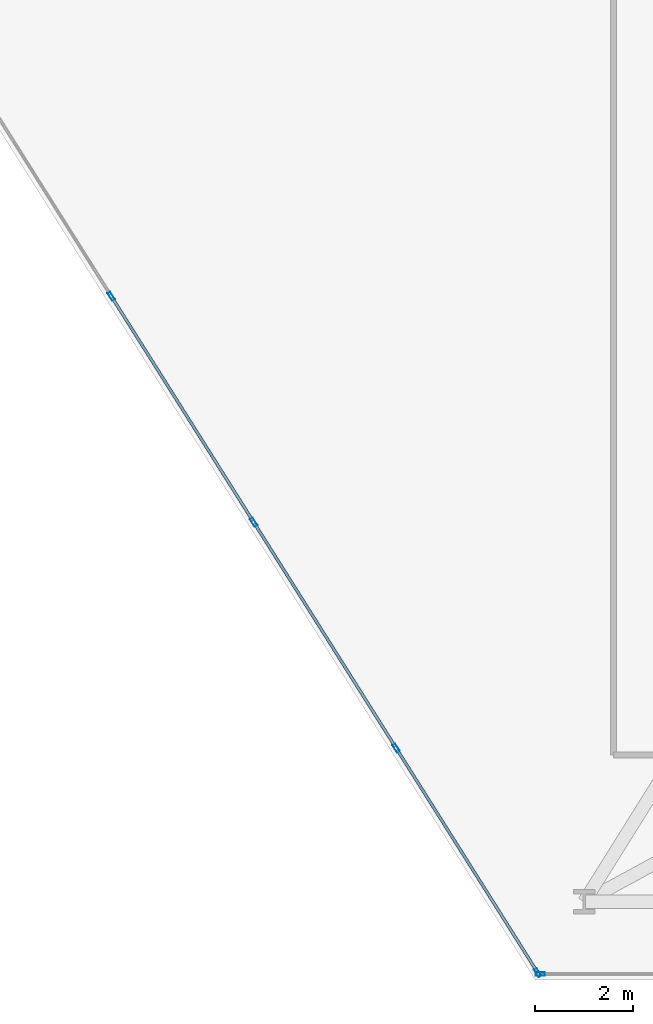
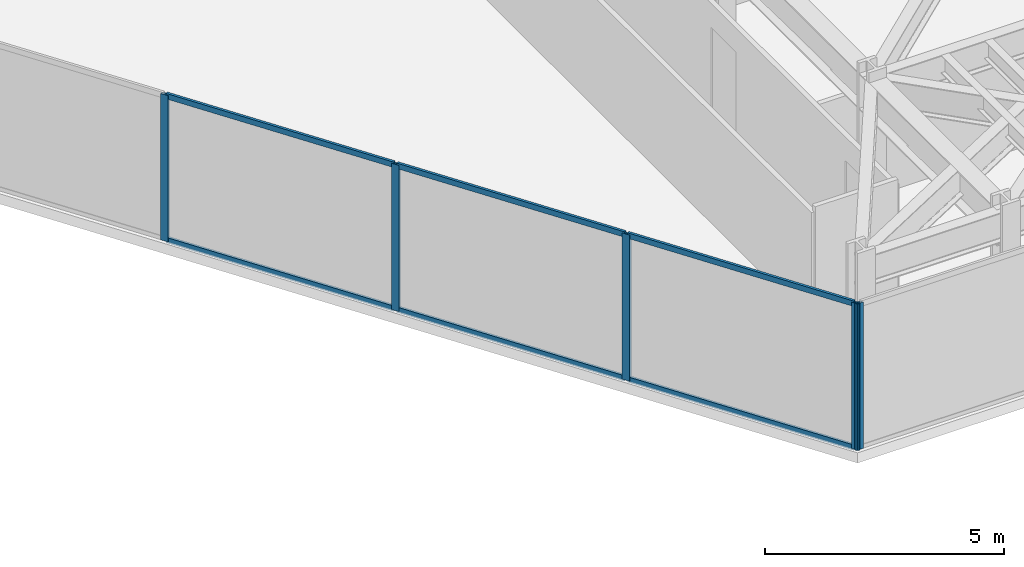
# One storey, part 12 of 24: 11 members, 2 elements without a shape of their own.
"""IFC4 building model written with IfcOpenShell, lengths in metres."""

import ifcopenshell
import ifcopenshell.guid

model = None  # the IFC model being written
_history = None  # IfcOwnerHistory: only IFC2X3 demands one
_inside = {}  # id of a spatial element -> (the spatial element, [elements in it])
_under = {}  # id of a project, library or spatial element -> (it, [spatial elements below it])
_declared = {}  # id of a project -> (the project, [libraries it declares])
_typed = {}  # id of a type object -> (the type object, [elements of that type])
_made_of = {}  # id of a material, layer set ... -> (it, [elements and type objects made of it])


def new_model(schema):
    """Start an empty IFC model of exactly this schema.

    Asked for "IFC4X3", IfcOpenShell would pick the latest addendum, in which some entities
    have other attributes; the version numbers below select the first issue.
    IFC2X3 requires an IfcOwnerHistory on every rooted entity: one is made here for all.
    """
    global model, _history
    if schema == "IFC4X3":
        model = ifcopenshell.file(schema_version=(4, 3, 0, 0))
    else:
        model = ifcopenshell.file(schema=schema)
    _inside.clear()
    _under.clear()
    _declared.clear()
    _typed.clear()
    _made_of.clear()
    _history = None
    if model.schema == "IFC2X3":
        org = make("IfcOrganization", Name="unknown")
        user = make(
            "IfcPersonAndOrganization",
            ThePerson=make("IfcPerson", FamilyName="unknown"),
            TheOrganization=org,
        )
        app = make(
            "IfcApplication",
            ApplicationDeveloper=org,
            Version="unknown",
            ApplicationFullName="unknown",
            ApplicationIdentifier="unknown",
        )
        _history = make(
            "IfcOwnerHistory",
            OwningUser=user,
            OwningApplication=app,
            ChangeAction="ADDED",
            CreationDate=0,
        )
    return model


def make(cls, **values):
    """One entity of the class cls with the attributes given. An attribute that is None is left unset."""
    return model.create_entity(
        cls, **{name: value for name, value in values.items() if value is not None}
    )


def rooted(cls, **values):
    """An entity with a GlobalId (a new one), such as an element, a storey or a relation."""
    return make(cls, GlobalId=ifcopenshell.guid.new(), OwnerHistory=_history, **values)


def si_unit(unit_type, name, prefix=None):
    """IfcSIUnit, for example si_unit("LENGTHUNIT", "METRE", prefix="MILLI")."""
    return make("IfcSIUnit", UnitType=unit_type, Prefix=prefix, Name=name)


def assignment(units):
    """IfcUnitAssignment: the units of a project."""
    return None if units is None else make("IfcUnitAssignment", Units=units)


def point(xyz):
    """IfcCartesianPoint."""
    return None if xyz is None else make("IfcCartesianPoint", Coordinates=xyz)


def direction(xyz):
    """IfcDirection."""
    return None if xyz is None else make("IfcDirection", DirectionRatios=xyz)


def frame(location, z_axis=None, x_axis=None):
    """IfcAxis2Placement3D, a coordinate frame: its origin and axes. An axis left out is left unset."""
    return make(
        "IfcAxis2Placement3D",
        Location=point(location),
        Axis=direction(z_axis),
        RefDirection=direction(x_axis),
    )


def frame_2d(location, x_axis=None):
    """IfcAxis2Placement2D, a coordinate frame in the plane: its origin and x axis."""
    return make(
        "IfcAxis2Placement2D", Location=point(location), RefDirection=direction(x_axis)
    )


def origin():
    """The frame at (0, 0, 0) with its axes left unset."""
    return frame((0.0, 0.0, 0.0))


def origin_2d():
    """The frame at (0, 0) in the plane with its x axis left unset."""
    return frame_2d((0.0, 0.0))


def place(relative_to, where):
    """IfcLocalPlacement: puts the frame where relative to a parent placement (None: the world)."""
    return make(
        "IfcLocalPlacement", PlacementRelTo=relative_to, RelativePlacement=where
    )


def context(
    kind, dimensions, precision=None, world=None, true_north=None, identifier=None
):
    """IfcGeometricRepresentationContext, for example the 3D "Model" context."""
    return make(
        "IfcGeometricRepresentationContext",
        ContextIdentifier=identifier,
        ContextType=kind,
        CoordinateSpaceDimension=dimensions,
        Precision=precision,
        WorldCoordinateSystem=world,
        TrueNorth=true_north,
    )


def subcontext(parent, identifier, kind, view, scale=None):
    """IfcGeometricRepresentationSubContext, for example "Body" below "Model"."""
    return make(
        "IfcGeometricRepresentationSubContext",
        ContextIdentifier=identifier,
        ContextType=kind,
        ParentContext=parent,
        TargetScale=scale,
        TargetView=view,
    )


def project(units=None, contexts=None):
    """IfcProject with its units and contexts."""
    return rooted(
        "IfcProject",
        Name="project",
        RepresentationContexts=contexts,
        UnitsInContext=assignment(units),
    )


def spatial(cls, under=None, at=None, **own):
    """A site, building, storey or space (cls), placed at a placement, below another one or the project."""
    s = rooted(cls, ObjectPlacement=at, **own)
    if under is not None:
        _under.setdefault(under.id(), (under, []))[1].append(s)
    return s


def profile(cls, at=None, kind="AREA", **sizes):
    """A parametric profile (cls). Its sizes go by their IFC names, for example OverallWidth=200.0."""
    return make(cls, ProfileType=kind, Position=at, **sizes)


def hollow_rectangle(**sizes):
    """IfcRectangleHollowProfileDef."""
    return profile("IfcRectangleHollowProfileDef", **sizes)


def extrude(swept, where, along, depth):
    """IfcExtrudedAreaSolid: the profile swept, set in the frame where, extruded along a direction by depth."""
    return make(
        "IfcExtrudedAreaSolid",
        SweptArea=swept,
        Position=where,
        ExtrudedDirection=direction(along),
        Depth=depth,
    )


def shape(context_of_items, identifier, shape_type, items):
    """IfcShapeRepresentation: the items that make up one representation, for example the "Body"."""
    return make(
        "IfcShapeRepresentation",
        ContextOfItems=context_of_items,
        RepresentationIdentifier=identifier,
        RepresentationType=shape_type,
        Items=items,
    )


def material(Name=None, Category=None):
    """IfcMaterial."""
    return make("IfcMaterial", Name=Name, Category=Category)


def layer(
    of_material, thickness, ventilated=None, Name=None, Category=None, Priority=None
):
    """IfcMaterialLayer: one layer of a wall or slab, of a material (None: an air gap)."""
    return make(
        "IfcMaterialLayer",
        Material=of_material,
        LayerThickness=thickness,
        IsVentilated=ventilated,
        Name=Name,
        Category=Category,
        Priority=Priority,
    )


def layer_set(layers, Name=None):
    """IfcMaterialLayerSet."""
    return make("IfcMaterialLayerSet", MaterialLayers=layers, LayerSetName=Name)


def material_profile(
    of_material, cross_section, Name=None, Category=None, Priority=None
):
    """IfcMaterialProfile: a cross section and its material."""
    return make(
        "IfcMaterialProfile",
        Name=Name,
        Material=of_material,
        Profile=cross_section,
        Priority=Priority,
        Category=Category,
    )


def profile_set(profiles, Name=None, composite=None):
    """IfcMaterialProfileSet."""
    return make(
        "IfcMaterialProfileSet",
        Name=Name,
        MaterialProfiles=profiles,
        CompositeProfile=composite,
    )


def made_of(thing, what):
    """Note that an element or type object is made of a material, layer set ...; save() writes the relation."""
    if what is not None:
        _made_of.setdefault(what.id(), (what, []))[1].append(thing)
    return thing


def type_object(cls, material=None, **own):
    """A type object (cls), such as IfcWallType, which elements share."""
    return made_of(rooted(cls, **own), material)


def element(
    cls,
    number,
    at=None,
    inside=None,
    cuts=None,
    type_object=None,
    material=None,
    context=None,
    identifier="Body",
    shape_type=None,
    held_by="IfcProductDefinitionShape",
    body=None,
    shapes=None,
    **own,
):
    """One element of the class cls, such as IfcWall. Its Tag is "e" and its number.

    at: its placement. inside: the storey or other place that contains it. cuts: it is an
    opening in that element (IfcRelVoidsElement). A single representation is given by context,
    identifier, shape_type and body (its items); several are given by shapes. held_by: the class
    of the entity that holds the representations. save() writes the other relations.
    """
    e = rooted(cls, Tag="e%d" % number, ObjectPlacement=at, **own)
    if body is not None:
        shapes = [shape(context, identifier, shape_type, body)]
    if shapes is not None:
        e.Representation = make(held_by, Representations=shapes)
    if inside is not None:
        _inside.setdefault(inside.id(), (inside, []))[1].append(e)
    if cuts is not None:
        rooted(
            "IfcRelVoidsElement", RelatingBuildingElement=cuts, RelatedOpeningElement=e
        )
    if type_object is not None:
        _typed.setdefault(type_object.id(), (type_object, []))[1].append(e)
    return made_of(e, material)


def aggregate(whole, parts):
    """IfcRelAggregates: a whole, such as a stair, and the parts it consists of."""
    return rooted("IfcRelAggregates", RelatingObject=whole, RelatedObjects=parts)


def save(model, path):
    """Write the relations noted so far, then the file.

    IfcRelAggregates (storeys below a building ...), IfcRelContainedInSpatialStructure (elements
    in a storey), IfcRelDefinesByType, IfcRelAssociatesMaterial and IfcRelDeclares: one each for
    every whole, place, type object, material and project.
    """
    for whole, parts in _under.values():
        aggregate(whole, parts)
    for where, things in _inside.values():
        rooted(
            "IfcRelContainedInSpatialStructure",
            RelatedElements=things,
            RelatingStructure=where,
        )
    for kind, things in _typed.values():
        rooted("IfcRelDefinesByType", RelatedObjects=things, RelatingType=kind)
    for what, things in _made_of.values():
        rooted("IfcRelAssociatesMaterial", RelatedObjects=things, RelatingMaterial=what)
    for by, libraries in _declared.values():
        rooted("IfcRelDeclares", RelatingContext=by, RelatedDefinitions=libraries)
    model.write(path)


model = new_model("IFC4")

# Units and contexts
model_context = context("Model", 3, precision=1e-05, world=origin(), true_north=direction((0.0, 1.0)))
body_context = subcontext(model_context, "Body", "Model", "MODEL_VIEW")
ifc_project = project(units=[si_unit("LENGTHUNIT", "METRE"), si_unit("AREAUNIT", "SQUARE_METRE"), si_unit("VOLUMEUNIT", "CUBIC_METRE"), si_unit("PLANEANGLEUNIT", "RADIAN"), si_unit("MASSUNIT", "GRAM", prefix="KILO")], contexts=[model_context])

# Site, building, storey
site_placement = place(None, origin())
site = spatial("IfcSite", under=ifc_project, at=site_placement, CompositionType="ELEMENT")
building_placement = place(site_placement, origin())
building = spatial("IfcBuilding", under=site, at=building_placement, Name="Kravanh Interchange Tower", CompositionType="ELEMENT")
storey_placement = place(building_placement, frame((0.0, 0.0, 61.5)))
storey = spatial("IfcBuildingStorey", under=building, at=storey_placement, Name="L14", CompositionType="ELEMENT", Elevation=61.5)

# Curtain wall, member
ifc_material_1 = material(Name="Anodised Bronze Aluminium", Category="aluminium")
ifc_layer = layer(ifc_material_1, 0.179931640625)
ifc_layer_set = layer_set([ifc_layer], Name="Unitised Curtain Wall System CW-Z1 Lower Office")
curtain_wall_type = type_object("IfcCurtainWallType", Name="Unitised Curtain Wall System CW-Z1 Lower Office", PredefinedType="NOTDEFINED", material=ifc_layer_set)
curtain_wall_1_placement = place(storey_placement, origin())
curtain_wall_1 = element("IfcCurtainWall", 1, at=curtain_wall_1_placement, inside=storey, type_object=curtain_wall_type, Name="L14 Unitised Curtain Wall CW-L14-03", PredefinedType="NOTDEFINED")
ifc_material_2 = material(Name="Anodised Bronze Aluminium", Category="aluminium")
ifc_material_profile_1 = material_profile(ifc_material_2, hollow_rectangle(XDim=0.070068359375, YDim=0.179931640625, WallThickness=0.00390625, at=origin_2d()), Name="ALU70X180X4")
ifc_profile_set_1 = profile_set([ifc_material_profile_1], Name="Anodised Bronze Aluminium")
member_type_1 = type_object("IfcMemberType", Name="Curtain Wall Mullion ALU70X180X4 Bronze", PredefinedType="MULLION", material=ifc_profile_set_1)
member_1_placement = place(storey_placement, frame((51.601318359375, 1.1201171875, 0.0), z_axis=(0.0, 0.0, 1.0), x_axis=(0.0, -1.0, 0.0)))
member_1 = element("IfcMember", 2, at=member_1_placement, type_object=member_type_1, Name="CW-Z1 mullion 3", PredefinedType="MULLION", context=body_context, shape_type="SweptSolid", body=[
    extrude(hollow_rectangle(XDim=0.070068359375, YDim=0.179931640625, WallThickness=0.00390625, at=origin_2d()), origin(), (0.0, 0.0, 1.0), 3.739990234375),
])
aggregate(curtain_wall_1, [member_1])

# Curtain wall, members
curtain_wall_2_placement = place(storey_placement, origin())
curtain_wall_2 = element("IfcCurtainWall", 3, at=curtain_wall_2_placement, inside=storey, type_object=curtain_wall_type, Name="L14 Unitised Curtain Wall CW-L14-04", PredefinedType="NOTDEFINED")
member_2_placement = place(storey_placement, frame((51.547607421875, 1.149658203125, 0.0), z_axis=(0.0, 0.0, 1.0), x_axis=(-0.845925530786, -0.53330103728, 0.0)))
member_2 = element("IfcMember", 4, at=member_2_placement, type_object=member_type_1, Name="CW-Z1 mullion 1", PredefinedType="MULLION", context=body_context, shape_type="SweptSolid", body=[
    extrude(hollow_rectangle(XDim=0.070068359375, YDim=0.179931640625, WallThickness=0.00390625, at=origin_2d()), origin(), (0.0, 0.0, 1.0), 3.739990234375),
])
member_3_placement = place(storey_placement, frame((48.653076171875, 5.740966796875, 0.0), z_axis=(0.0, 0.0, 1.0), x_axis=(-0.845925530786, -0.53330103728, 0.0)))
member_3 = element("IfcMember", 5, at=member_3_placement, type_object=member_type_1, Name="CW-Z1 mullion 2", PredefinedType="MULLION", context=body_context, shape_type="SweptSolid", body=[
    extrude(hollow_rectangle(XDim=0.070068359375, YDim=0.179931640625, WallThickness=0.00390625, at=origin_2d()), origin(), (0.0, 0.0, 1.0), 3.739990234375),
])
member_4_placement = place(storey_placement, frame((45.73974609375, 10.362060546875, 0.0), z_axis=(0.0, 0.0, 1.0), x_axis=(-0.845925530786, -0.53330103728, 0.0)))
member_4 = element("IfcMember", 6, at=member_4_placement, type_object=member_type_1, Name="CW-Z1 mullion 3", PredefinedType="MULLION", context=body_context, shape_type="SweptSolid", body=[
    extrude(hollow_rectangle(XDim=0.070068359375, YDim=0.179931640625, WallThickness=0.00390625, at=origin_2d()), origin(), (0.0, 0.0, 1.0), 3.739990234375),
])
member_5_placement = place(storey_placement, frame((42.826416015625, 14.98291015625, 0.0), z_axis=(0.0, 0.0, 1.0), x_axis=(-0.845925530786, -0.53330103728, 0.0)))
member_5 = element("IfcMember", 7, at=member_5_placement, type_object=member_type_1, Name="CW-Z1 mullion 4", PredefinedType="MULLION", context=body_context, shape_type="SweptSolid", body=[
    extrude(hollow_rectangle(XDim=0.070068359375, YDim=0.179931640625, WallThickness=0.00390625, at=origin_2d()), origin(), (0.0, 0.0, 1.0), 3.739990234375),
])
ifc_material_3 = material(Name="Anodised Bronze Aluminium", Category="aluminium")
ifc_material_profile_2 = material_profile(ifc_material_3, hollow_rectangle(XDim=0.06005859375, YDim=0.139892578125, WallThickness=0.00390625, at=origin_2d()), Name="ALU60X140X4")
ifc_profile_set_2 = profile_set([ifc_material_profile_2], Name="Anodised Bronze Aluminium")
member_type_2 = type_object("IfcMemberType", Name="Curtain Wall Transom ALU60X140X4 Bronze", PredefinedType="USERDEFINED", material=ifc_profile_set_2)
member_6_placement = place(storey_placement, frame((51.52880859375, 1.17919921875, 0.030029296875), z_axis=(-0.533288163518, 0.845933646719, 0.0), x_axis=(-0.845933646719, -0.533288163518, 0.0)))
member_6 = element("IfcMember", 8, at=member_6_placement, type_object=member_type_2, Name="CW-Z1 transom 1.1", ObjectType="TRANSOM", PredefinedType="USERDEFINED", context=body_context, shape_type="SweptSolid", body=[
    extrude(hollow_rectangle(XDim=0.06005859375, YDim=0.139892578125, WallThickness=0.00390625, at=origin_2d()), origin(), (0.0, 0.0, 1.0), 5.357666015625),
])
member_7_placement = place(storey_placement, frame((51.52880859375, 1.17919921875, 3.7099609375), z_axis=(-0.533288163518, 0.845933646719, 0.0), x_axis=(-0.845933646719, -0.533288163518, 0.0)))
member_7 = element("IfcMember", 9, at=member_7_placement, type_object=member_type_2, Name="CW-Z1 transom 1.2", ObjectType="TRANSOM", PredefinedType="USERDEFINED", context=body_context, shape_type="SweptSolid", body=[
    extrude(hollow_rectangle(XDim=0.06005859375, YDim=0.139892578125, WallThickness=0.00390625, at=origin_2d()), origin(), (0.0, 0.0, 1.0), 5.357666015625),
])
member_8_placement = place(storey_placement, frame((48.63427734375, 5.7705078125, 0.030029296875), z_axis=(-0.533311487456, 0.84591894254, 0.0), x_axis=(-0.84591894254, -0.533311487456, 0.0)))
member_8 = element("IfcMember", 10, at=member_8_placement, type_object=member_type_2, Name="CW-Z1 transom 2.1", ObjectType="TRANSOM", PredefinedType="USERDEFINED", context=body_context, shape_type="SweptSolid", body=[
    extrude(hollow_rectangle(XDim=0.06005859375, YDim=0.139892578125, WallThickness=0.00390625, at=origin_2d()), origin(), (0.0, 0.0, 1.0), 5.392578125),
])
member_9_placement = place(storey_placement, frame((48.63427734375, 5.7705078125, 3.7099609375), z_axis=(-0.533311487456, 0.84591894254, 0.0), x_axis=(-0.84591894254, -0.533311487456, 0.0)))
member_9 = element("IfcMember", 11, at=member_9_placement, type_object=member_type_2, Name="CW-Z1 transom 2.2", ObjectType="TRANSOM", PredefinedType="USERDEFINED", context=body_context, shape_type="SweptSolid", body=[
    extrude(hollow_rectangle(XDim=0.06005859375, YDim=0.139892578125, WallThickness=0.00390625, at=origin_2d()), origin(), (0.0, 0.0, 1.0), 5.392578125),
])
member_10_placement = place(storey_placement, frame((45.720947265625, 10.3916015625, 0.030029296875), z_axis=(-0.533279090152, 0.845939366626, 0.0), x_axis=(-0.845939366626, -0.533279090152, 0.0)))
member_10 = element("IfcMember", 12, at=member_10_placement, type_object=member_type_2, Name="CW-Z1 transom 3.1", ObjectType="TRANSOM", PredefinedType="USERDEFINED", context=body_context, shape_type="SweptSolid", body=[
    extrude(hollow_rectangle(XDim=0.06005859375, YDim=0.139892578125, WallThickness=0.00390625, at=origin_2d()), origin(), (0.0, 0.0, 1.0), 5.392578125),
])
member_11_placement = place(storey_placement, frame((45.720947265625, 10.3916015625, 3.7099609375), z_axis=(-0.533279090152, 0.845939366626, 0.0), x_axis=(-0.845939366626, -0.533279090152, 0.0)))
member_11 = element("IfcMember", 13, at=member_11_placement, type_object=member_type_2, Name="CW-Z1 transom 3.2", ObjectType="TRANSOM", PredefinedType="USERDEFINED", context=body_context, shape_type="SweptSolid", body=[
    extrude(hollow_rectangle(XDim=0.06005859375, YDim=0.139892578125, WallThickness=0.00390625, at=origin_2d()), origin(), (0.0, 0.0, 1.0), 5.392578125),
])
aggregate(curtain_wall_2, [member_2, member_3, member_4, member_5, member_6, member_7, member_8, member_9, member_10, member_11])

save(model, "model.ifc")
